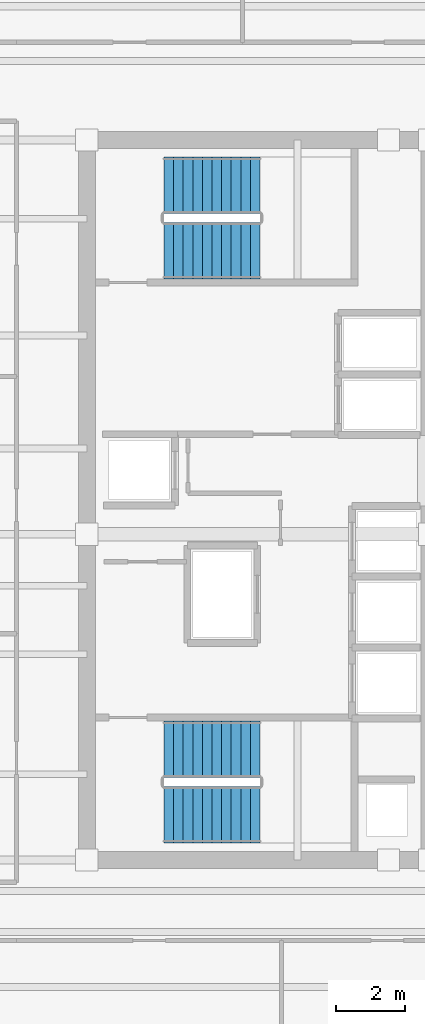
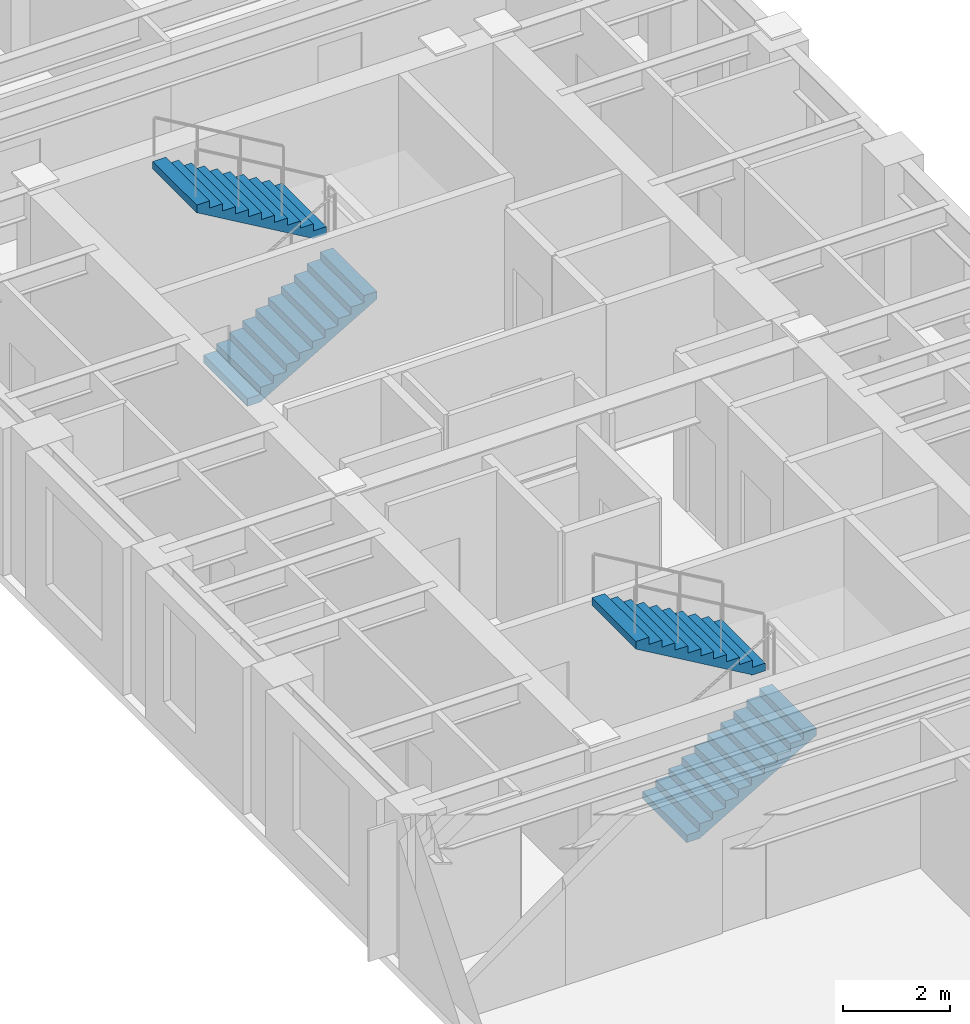
# One storey, part 9 of 10: 4 stair flights, 2 elements without a shape of their own.
"""IFC4 building model written with IfcOpenShell, lengths in metres."""

from ifc_helpers import new_model, si_unit, direction, frame, origin, place, context, subcontext, project, spatial, polyline, outline, extrude, source, transform, mapped, material, type_object, element, aggregate, save


model = new_model("IFC4")

# Units and contexts
model_context = context("Model", 3, precision=1e-05, world=origin(), true_north=direction((0.0, 1.0)))
body_context = subcontext(model_context, "Body", "Model", "MODEL_VIEW")
ifc_project = project(units=[si_unit("LENGTHUNIT", "METRE"), si_unit("AREAUNIT", "SQUARE_METRE"), si_unit("VOLUMEUNIT", "CUBIC_METRE"), si_unit("PLANEANGLEUNIT", "RADIAN"), si_unit("MASSUNIT", "GRAM", prefix="KILO")], contexts=[model_context])

# Site, building, storey
site_placement = place(None, origin())
site = spatial("IfcSite", under=ifc_project, at=site_placement, CompositionType="ELEMENT")
building_placement = place(site_placement, origin())
building = spatial("IfcBuilding", under=site, at=building_placement, Name="Kharzan Plaza Tower", CompositionType="ELEMENT")
storey_placement = place(building_placement, frame((0.0, 0.0, 273.60009765625)))
storey = spatial("IfcBuildingStorey", under=building, at=storey_placement, Name="L74", CompositionType="ELEMENT", Elevation=273.60009765625)

# Stair, stair flights
ifc_material = material(Name="Concrete C40/50", Category="concrete")
stair_type_1 = type_object("IfcStairType", Name="STR-ST-1", PredefinedType="HALF_TURN_STAIR", material=ifc_material)
stair_1_placement = place(storey_placement, origin())
stair_1 = element("IfcStair", 1, at=stair_1_placement, inside=storey, type_object=stair_type_1, Name="L74 Protected Exit Stair ST-1", PredefinedType="HALF_TURN_STAIR")
stair_flight_type = type_object("IfcStairFlightType", Name="SFL-1650-R173", PredefinedType="STRAIGHT", material=ifc_material)
shared_shape = source(origin(), body_context, "Body", "SweptSolid", [
    extrude(outline(polyline([(-0.0029296875, -0.011962890625), (-0.0029296875, 0.0), (0.0, 0.0), (0.0, 0.16357421875), (0.280029296875, 0.16357421875), (0.280029296875, 0.3271484375), (0.56005859375, 0.3271484375), (0.56005859375, 0.49072265625), (0.840087890625, 0.49072265625), (0.840087890625, 0.654296875), (1.1201171875, 0.654296875), (1.1201171875, 0.81787109375), (1.400146484375, 0.81787109375), (1.400146484375, 0.9814453125), (1.68017578125, 0.9814453125), (1.68017578125, 1.14501953125), (1.960205078125, 1.14501953125), (1.960205078125, 1.30859375), (2.240234375, 1.30859375), (2.240234375, 1.47216796875), (2.520263671875, 1.47216796875), (2.520263671875, 1.6357421875), (2.80029296875, 1.6357421875), (2.80029296875, 1.79931640625), (2.80029296875, 1.462158203125), (0.297119140625, 0.0), (0.297119140625, -0.011962890625), (-0.0029296875, -0.011962890625)])), frame((0.0, 0.824951171875, 0.0), z_axis=(0.0, -1.0, 0.0), x_axis=(1.0, 0.0, 0.0)), (0.0, 0.0, 1.0), 1.64990234375),
])
stair_flight_1_placement = place(storey_placement, frame((6.75, 9.824951171875, 0.0), z_axis=(0.0, 0.0, 1.0), x_axis=(1.0, 0.0, 0.0)))
stair_flight_1 = element("IfcStairFlight", 2, at=stair_flight_1_placement, type_object=stair_flight_type, Name="ST-1 flight 1", NumberOfRisers=11, NumberOfTreads=10, PredefinedType="STRAIGHT", RiserHeight=0.163636364, TreadLength=0.28, context=body_context, shape_type="MappedRepresentation", body=[
    mapped(shared_shape, transform((0.0, 0.0, 0.0), x_axis=(1.0, 0.0, 0.0), y_axis=(0.0, 1.0, 0.0), z_axis=(0.0, 0.0, 1.0))),
])
stair_flight_2_placement = place(storey_placement, frame((9.550048828125, 11.72509765625, 1.7998046875), z_axis=(0.0, 0.0, 1.0), x_axis=(-1.0, 0.0, 0.0)))
stair_flight_2 = element("IfcStairFlight", 3, at=stair_flight_2_placement, type_object=stair_flight_type, Name="ST-1 flight 2", NumberOfRisers=11, NumberOfTreads=10, PredefinedType="STRAIGHT", RiserHeight=0.163636364, TreadLength=0.28, context=body_context, shape_type="MappedRepresentation", body=[
    mapped(shared_shape, transform((0.0, 0.0, 0.0), x_axis=(1.0, 0.0, 0.0), y_axis=(0.0, 1.0, 0.0), z_axis=(0.0, 0.0, 1.0))),
])
aggregate(stair_1, [stair_flight_1, stair_flight_2])

stair_type_2 = type_object("IfcStairType", Name="STR-ST-2", PredefinedType="HALF_TURN_STAIR", material=ifc_material)
stair_2_placement = place(storey_placement, origin())
stair_2 = element("IfcStair", 4, at=stair_2_placement, inside=storey, type_object=stair_type_2, Name="L74 Protected Exit Stair ST-2", PredefinedType="HALF_TURN_STAIR")
stair_flight_3_placement = place(storey_placement, frame((6.75, 26.27490234375, 0.0), z_axis=(0.0, 0.0, 1.0), x_axis=(1.0, 0.0, 0.0)))
stair_flight_3 = element("IfcStairFlight", 5, at=stair_flight_3_placement, type_object=stair_flight_type, Name="ST-2 flight 1", NumberOfRisers=11, NumberOfTreads=10, PredefinedType="STRAIGHT", RiserHeight=0.163636364, TreadLength=0.28, context=body_context, shape_type="MappedRepresentation", body=[
    mapped(shared_shape, transform((0.0, 0.0, 0.0), x_axis=(1.0, 0.0, 0.0), y_axis=(0.0, 1.0, 0.0), z_axis=(0.0, 0.0, 1.0))),
])
stair_flight_4_placement = place(storey_placement, frame((9.550048828125, 28.175048828125, 1.7998046875), z_axis=(0.0, 0.0, 1.0), x_axis=(-1.0, 0.0, 0.0)))
stair_flight_4 = element("IfcStairFlight", 6, at=stair_flight_4_placement, type_object=stair_flight_type, Name="ST-2 flight 2", NumberOfRisers=11, NumberOfTreads=10, PredefinedType="STRAIGHT", RiserHeight=0.163636364, TreadLength=0.28, context=body_context, shape_type="MappedRepresentation", body=[
    mapped(shared_shape, transform((0.0, 0.0, 0.0), x_axis=(1.0, 0.0, 0.0), y_axis=(0.0, 1.0, 0.0), z_axis=(0.0, 0.0, 1.0))),
])
aggregate(stair_2, [stair_flight_3, stair_flight_4])

save(model, "model.ifc")
